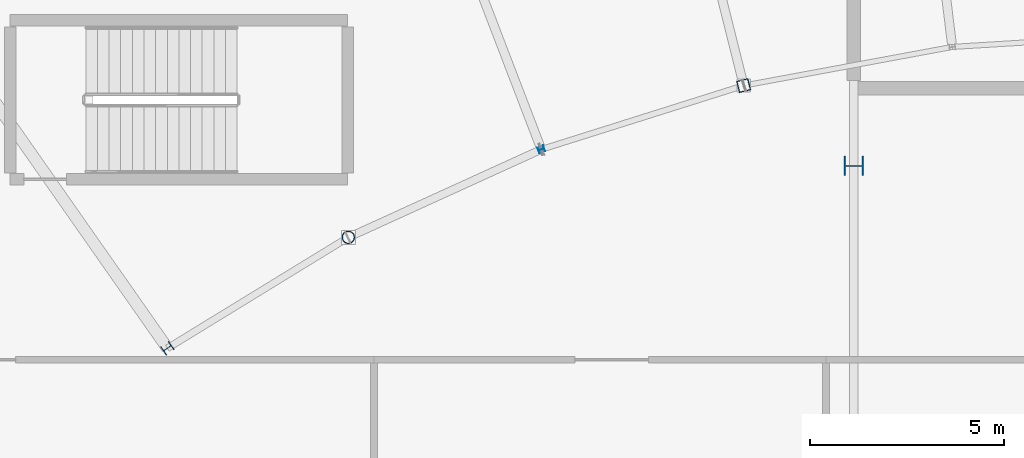
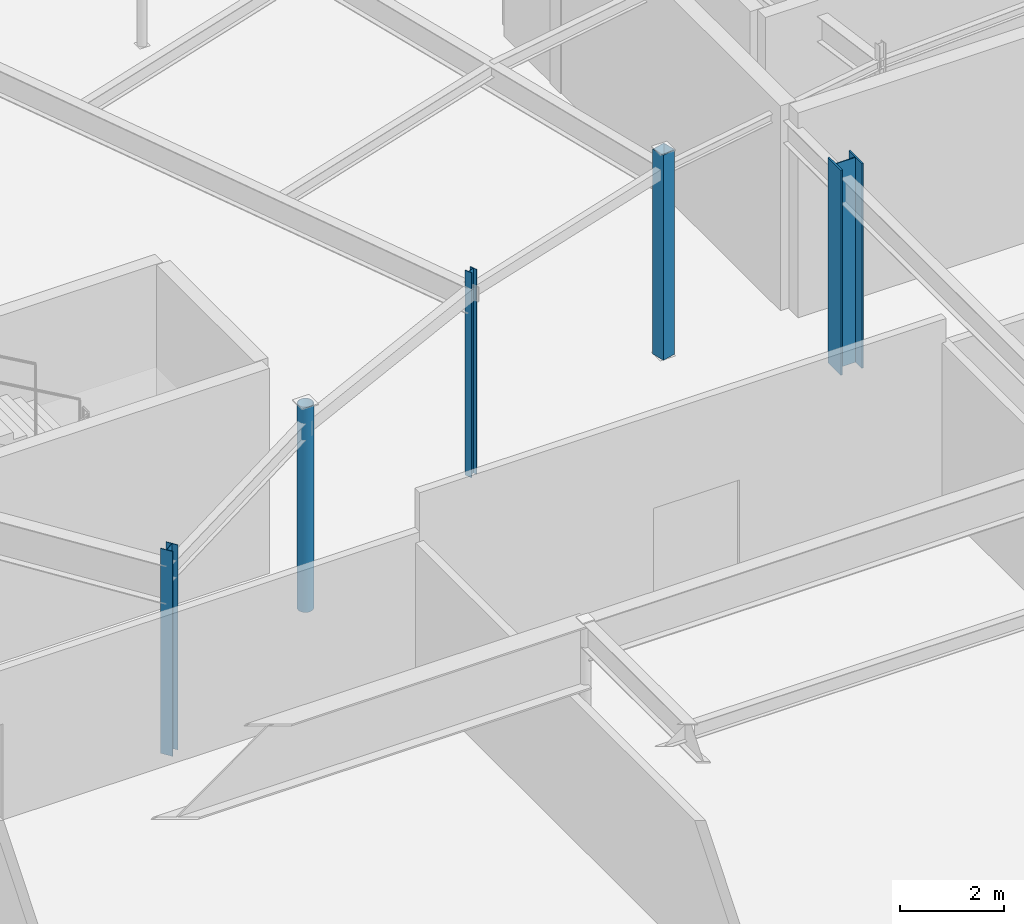
# One storey, part 25 of 186: 5 columns.
"""IFC4 building model written with IfcOpenShell, lengths in metres."""

from ifc_helpers import new_model, si_unit, direction, frame, origin, origin_2d, place, context, subcontext, project, spatial, hollow_rectangle, hollow_circle, i_section, extrude, material, material_profile, profile_set, type_object, element, save


model = new_model("IFC4")

# Units and contexts
model_context = context("Model", 3, precision=1e-05, world=origin(), true_north=direction((0.0, 1.0)))
body_context = subcontext(model_context, "Body", "Model", "MODEL_VIEW")
ifc_project = project(units=[si_unit("LENGTHUNIT", "METRE"), si_unit("AREAUNIT", "SQUARE_METRE"), si_unit("VOLUMEUNIT", "CUBIC_METRE"), si_unit("PLANEANGLEUNIT", "RADIAN"), si_unit("MASSUNIT", "GRAM", prefix="KILO")], contexts=[model_context])

# Site, building, storey
site_placement = place(None, origin())
site = spatial("IfcSite", under=ifc_project, at=site_placement, CompositionType="ELEMENT")
building_placement = place(site_placement, origin())
building = spatial("IfcBuilding", under=site, at=building_placement, Name="Tarnwether General Hospital", CompositionType="ELEMENT")
storey_placement = place(building_placement, frame((0.0, 0.0, 9.60009765625)))
storey = spatial("IfcBuildingStorey", under=building, at=storey_placement, Name="L02", CompositionType="ELEMENT", Elevation=9.60009765625)

# Columns
ifc_material_1 = material(Name="Steel Grade 350 (350 MPa)", Category="steel")
ifc_material_profile_1 = material_profile(ifc_material_1, i_section(OverallWidth=0.5, OverallDepth=0.5, WebThickness=0.02197265625, FlangeThickness=0.035888671875, at=origin_2d()), Name="500WC380")
ifc_profile_set_1 = profile_set([ifc_material_profile_1], Name="Steel Grade 350 (350 MPa)")
column_type_1 = type_object("IfcColumnType", Name="COL-01", PredefinedType="COLUMN", material=ifc_profile_set_1)
column_1_placement = place(storey_placement, frame((84.0, 104.39990234375, 0.0), z_axis=(0.0, 0.0, 1.0), x_axis=(0.0, 1.0, 0.0)))
element("IfcColumn", 1, at=column_1_placement, inside=storey, type_object=column_type_1, Name="Column COLG-L02-8400_10440", PredefinedType="COLUMN", context=body_context, shape_type="SweptSolid", body=[
    extrude(i_section(OverallWidth=0.5, OverallDepth=0.5, WebThickness=0.02197265625, FlangeThickness=0.035888671875, at=origin_2d()), origin(), (0.0, 0.0, 1.0), 4.7998046875),
])
ifc_material_2 = material(Name="Steel Grade 350 (350 MPa)", Category="steel")
ifc_material_profile_2 = material_profile(ifc_material_2, i_section(OverallWidth=0.25390625, OverallDepth=0.25390625, WebThickness=0.008544921875, FlangeThickness=0.01416015625, at=origin_2d()), Name="250UC72.9")
ifc_profile_set_2 = profile_set([ifc_material_profile_2], Name="Steel Grade 350 (350 MPa)")
column_type_2 = type_object("IfcColumnType", Name="COL-24", PredefinedType="COLUMN", material=ifc_profile_set_2)
column_2_placement = place(storey_placement, frame((66.303955078125, 99.697998046875, 0.0), z_axis=(0.0, 0.0, 1.0), x_axis=(-0.573576436351, 0.819152044289, 0.0)))
element("IfcColumn", 2, at=column_2_placement, inside=storey, type_object=column_type_2, Name="Column COLG-L02-6630_9970", PredefinedType="COLUMN", context=body_context, shape_type="SweptSolid", body=[
    extrude(i_section(OverallWidth=0.25390625, OverallDepth=0.25390625, WebThickness=0.008544921875, FlangeThickness=0.01416015625, at=origin_2d()), origin(), (0.0, 0.0, 1.0), 4.7998046875),
])
ifc_material_3 = material(Name="Steel Grade C350L0 (350 MPa)", Category="steel")
ifc_material_profile_3 = material_profile(ifc_material_3, hollow_circle(Radius=0.161865234375, WallThickness=0.0126953125, at=origin_2d()), Name="CHS323.9x12.7")
ifc_profile_set_3 = profile_set([ifc_material_profile_3], Name="Steel Grade C350L0 (350 MPa)")
column_type_3 = type_object("IfcColumnType", Name="COL-26", PredefinedType="COLUMN", material=ifc_profile_set_3)
column_3_placement = place(storey_placement, frame((70.968017578125, 102.555908203125, 0.0), z_axis=(0.0, 0.0, 1.0), x_axis=(-0.469471562786, 0.882947592859, 0.0)))
element("IfcColumn", 3, at=column_3_placement, inside=storey, type_object=column_type_3, Name="Column COLG-L02-7097_10256", PredefinedType="COLUMN", context=body_context, shape_type="SweptSolid", body=[
    extrude(hollow_circle(Radius=0.161865234375, WallThickness=0.0126953125, at=origin_2d()), origin(), (0.0, 0.0, 1.0), 4.7998046875),
])
ifc_material_4 = material(Name="Steel Grade 350 (350 MPa)", Category="steel")
ifc_material_profile_4 = material_profile(ifc_material_4, i_section(OverallWidth=0.154052734375, OverallDepth=0.162109375, WebThickness=0.008056640625, FlangeThickness=0.011474609375, at=origin_2d()), Name="150UC37.2")
ifc_profile_set_4 = profile_set([ifc_material_profile_4], Name="Steel Grade 350 (350 MPa)")
column_type_4 = type_object("IfcColumnType", Name="COL-28", PredefinedType="COLUMN", material=ifc_profile_set_4)
column_4_placement = place(storey_placement, frame((75.945068359375, 104.823974609375, 0.0), z_axis=(0.0, 0.0, 1.0), x_axis=(-0.358367949545, 0.933580426497, 0.0)))
element("IfcColumn", 4, at=column_4_placement, inside=storey, type_object=column_type_4, Name="Column COLG-L02-7594_10482", PredefinedType="COLUMN", context=body_context, shape_type="SweptSolid", body=[
    extrude(i_section(OverallWidth=0.154052734375, OverallDepth=0.162109375, WebThickness=0.008056640625, FlangeThickness=0.011474609375, at=origin_2d()), origin(), (0.0, 0.0, 1.0), 4.7998046875),
])
ifc_material_5 = material(Name="Steel Grade C350L0 (350 MPa)", Category="steel")
ifc_material_profile_5 = material_profile(ifc_material_5, hollow_rectangle(XDim=0.300048828125, YDim=0.300048828125, WallThickness=0.012451171875, at=origin_2d()), Name="SHS300x300x12.5")
ifc_profile_set_5 = profile_set([ifc_material_profile_5], Name="Steel Grade C350L0 (350 MPa)")
column_type_5 = type_object("IfcColumnType", Name="COL-30", PredefinedType="COLUMN", material=ifc_profile_set_5)
column_5_placement = place(storey_placement, frame((81.162109375, 106.468994140625, 0.0), z_axis=(0.0, 0.0, 1.0), x_axis=(-0.2419218956, 0.970295726276, 0.0)))
element("IfcColumn", 5, at=column_5_placement, inside=storey, type_object=column_type_5, Name="Column COLG-L02-8116_10647", PredefinedType="COLUMN", context=body_context, shape_type="SweptSolid", body=[
    extrude(hollow_rectangle(XDim=0.300048828125, YDim=0.300048828125, WallThickness=0.012451171875, at=origin_2d()), origin(), (0.0, 0.0, 1.0), 4.7998046875),
])

save(model, "model.ifc")
